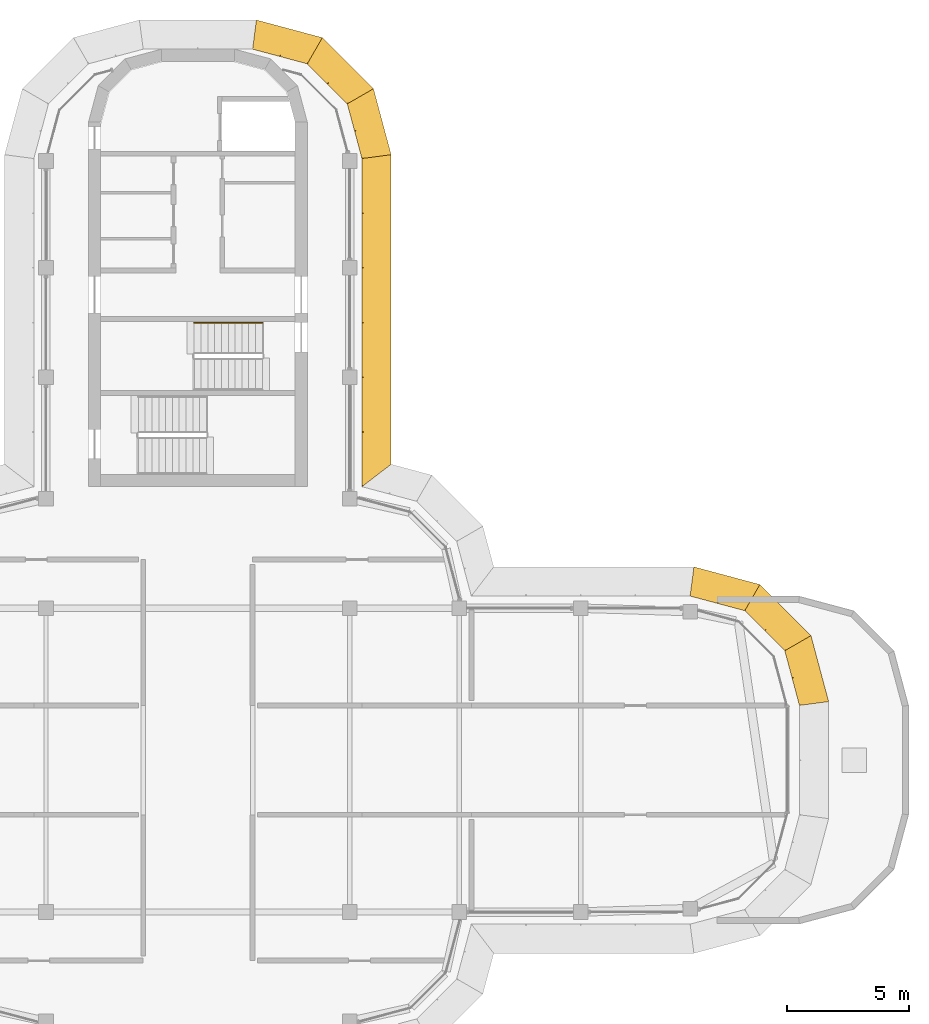
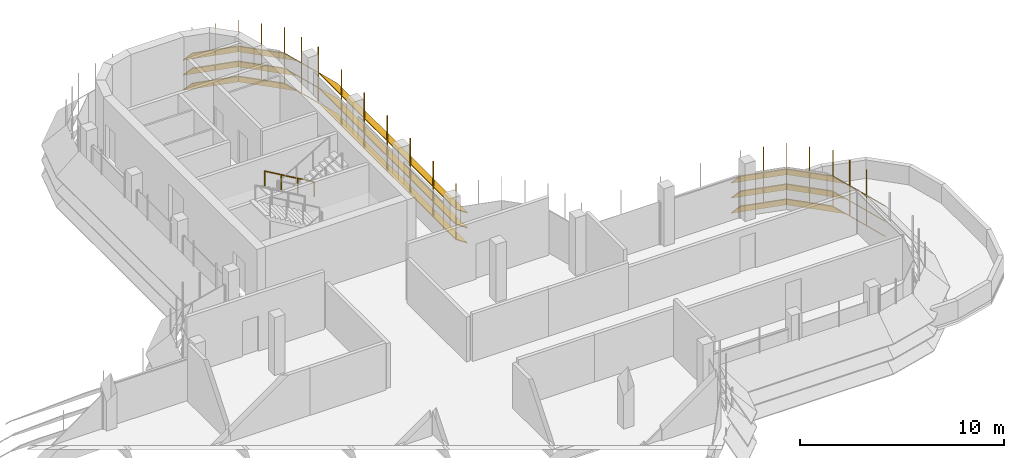
# One storey, part 20 of 20: 3 shading devices, 1 railing.
"""IFC4 building model written with IfcOpenShell, lengths in metres."""

from ifc_helpers import new_model, si_unit, direction, frame, origin, origin_2d, place, context, subcontext, project, spatial, polyline, circle, outline, extrude, faceted_brep, source, transform, mapped, material, type_object, element, save


model = new_model("IFC4")

# Units and contexts
model_context = context("Model", 3, precision=1e-05, world=origin(), true_north=direction((0.0, 1.0)))
body_context = subcontext(model_context, "Body", "Model", "MODEL_VIEW")
ifc_project = project(units=[si_unit("LENGTHUNIT", "METRE"), si_unit("AREAUNIT", "SQUARE_METRE"), si_unit("VOLUMEUNIT", "CUBIC_METRE"), si_unit("PLANEANGLEUNIT", "RADIAN"), si_unit("MASSUNIT", "GRAM", prefix="KILO")], contexts=[model_context])

# Site, building, storey
site_placement = place(None, origin())
site = spatial("IfcSite", under=ifc_project, at=site_placement, CompositionType="ELEMENT")
building_placement = place(site_placement, origin())
building = spatial("IfcBuilding", under=site, at=building_placement, Name="Zarbagh Exchange Tower", CompositionType="ELEMENT")
storey_placement = place(building_placement, frame((0.0, 0.0, 291.60009765625)))
storey = spatial("IfcBuildingStorey", under=building, at=storey_placement, Name="L71", CompositionType="ELEMENT", Elevation=291.60009765625)

# Railing
ifc_material_1 = material(Name="Stainless steel", Category="steel")
railing_type = type_object("IfcRailingType", Name="Stair handrail 900 mm", PredefinedType="HANDRAIL", material=ifc_material_1)
railing_placement = place(storey_placement, frame((2.64990234375, 18.0, 0.16357421875)))
element("IfcRailing", 1, at=railing_placement, inside=storey, type_object=railing_type, Name="ST1 stair handrail 1", PredefinedType="HANDRAIL", context=body_context, shape_type="SweptSolid", body=[
    extrude(circle(Radius=0.02392578125, at=origin_2d()), frame((0.0, 0.0, 0.8759765625), z_axis=(-0.863374499697, 0.0, 0.504563646405), x_axis=(0.0, -1.0, 0.0)), (0.0, 0.0, 1.0), 3.242919921875),
    extrude(circle(Radius=0.02099609375, at=origin_2d()), origin(), (0.0, 0.0, 1.0), 0.851806640625),
    extrude(circle(Radius=0.02099609375, at=origin_2d()), frame((-0.933349609375, 0.0, 0.54541015625)), (0.0, 0.0, 1.0), 0.851806640625),
    extrude(circle(Radius=0.02099609375, at=origin_2d()), frame((-1.866455078125, 0.0, 1.0908203125)), (0.0, 0.0, 1.0), 0.851806640625),
    extrude(circle(Radius=0.02099609375, at=origin_2d()), frame((-2.7998046875, 0.0, 1.63623046875)), (0.0, 0.0, 1.0), 0.851806640625),
])

# Shading devices
ifc_material_2 = material(Name="Anodised aluminium blades and brackets", Category="aluminium")
shading_device_type = type_object("IfcShadingDeviceType", Name="SUNSHADE louvre band, 45 degree blades", PredefinedType="JALOUSIE", material=ifc_material_2)
shared_shape_1 = source(origin(), body_context, "Body", "Brep", [
    faceted_brep([(0.0, 0.0, 0.0), (0.0, 0.0, -0.056640625), (-0.157958984375, -1.199951171875, -1.256591796875), (-0.157958984375, -1.199951171875, -1.199951171875), (2.65087890625, -1.199951171875, -1.199951171875), (2.65087890625, -1.199951171875, -1.256591796875), (2.329345703125, 0.0, -0.056640625), (2.329345703125, 0.0, 0.0)], [[[0, 1, 2, 3]], [[4, 5, 6, 7]], [[0, 7, 6, 1]], [[1, 6, 5, 2]], [[2, 5, 4, 3]], [[3, 4, 7, 0]]]),
])
shared_shape_2 = source(origin(), body_context, "Body", "Brep", [
    faceted_brep([(0.0, 0.0, 0.0), (0.0, 0.0, -0.056640625), (-0.321533203125, -1.199951171875, -1.256591796875), (-0.321533203125, -1.199951171875, -1.199951171875), (2.65087890625, -1.199951171875, -1.199951171875), (2.65087890625, -1.199951171875, -1.256591796875), (2.329345703125, 0.0, -0.056640625), (2.329345703125, 0.0, 0.0)], [[[0, 1, 2, 3]], [[4, 5, 6, 7]], [[0, 7, 6, 1]], [[1, 6, 5, 2]], [[2, 5, 4, 3]], [[3, 4, 7, 0]]]),
])
shared_shape_3 = source(origin(), body_context, "Body", "Brep", [
    faceted_brep([(0.0, 0.0, 0.0), (0.0, 0.0, -0.056640625), (-0.321533203125, -1.199951171875, -1.256591796875), (-0.321533203125, -1.199951171875, -1.199951171875), (2.4873046875, -1.199951171875, -1.199951171875), (2.4873046875, -1.199951171875, -1.256591796875), (2.329345703125, 0.0, -0.056640625), (2.329345703125, 0.0, 0.0)], [[[0, 1, 2, 3]], [[4, 5, 6, 7]], [[0, 7, 6, 1]], [[1, 6, 5, 2]], [[2, 5, 4, 3]], [[3, 4, 7, 0]]]),
])
shared_shape_4 = source(origin(), body_context, "Body", "SweptSolid", [
    extrude(outline(polyline([(0.0, -0.012451171875), (0.06005859375, -0.012451171875), (0.06005859375, 0.012451171875), (0.0, 0.012451171875), (0.0, -0.012451171875)])), origin(), (0.0, 0.0, 1.0), 3.366455078125),
])
placement = place(storey_placement, origin())
element("IfcShadingDevice", 2, at=placement, inside=storey, type_object=shading_device_type, Name="SS60 sunshade band", PredefinedType="JALOUSIE", context=body_context, shape_type="MappedRepresentation", body=[
    mapped(shared_shape_1, transform((24.75, 2.25, 2.099853515625), x_axis=(-0.258824779902, 0.965924289636, 0.0), y_axis=(-0.965924289636, -0.258824779902, 0.0), z_axis=(0.0, 0.0, 1.0))),
    mapped(shared_shape_1, transform((24.75, 2.25, 1.199951171875), x_axis=(-0.258824779902, 0.965924289636, 0.0), y_axis=(-0.965924289636, -0.258824779902, 0.0), z_axis=(0.0, 0.0, 1.0))),
    mapped(shared_shape_1, transform((24.75, 2.25, 0.2998046875), x_axis=(-0.258824779902, 0.965924289636, 0.0), y_axis=(-0.965924289636, -0.258824779902, 0.0), z_axis=(0.0, 0.0, 1.0))),
    mapped(shared_shape_2, transform((24.147216796875, 4.5, 2.099853515625), x_axis=(-0.707106781187, 0.707106781187, 0.0), y_axis=(-0.707106781187, -0.707106781187, 0.0), z_axis=(0.0, 0.0, 1.0))),
    mapped(shared_shape_2, transform((24.147216796875, 4.5, 1.199951171875), x_axis=(-0.707106781187, 0.707106781187, 0.0), y_axis=(-0.707106781187, -0.707106781187, 0.0), z_axis=(0.0, 0.0, 1.0))),
    mapped(shared_shape_2, transform((24.147216796875, 4.5, 0.2998046875), x_axis=(-0.707106781187, 0.707106781187, 0.0), y_axis=(-0.707106781187, -0.707106781187, 0.0), z_axis=(0.0, 0.0, 1.0))),
    mapped(shared_shape_3, transform((22.5, 6.147216796875, 2.099853515625), x_axis=(-0.965924289636, 0.258824779902, 0.0), y_axis=(-0.258824779902, -0.965924289636, 0.0), z_axis=(0.0, 0.0, 1.0))),
    mapped(shared_shape_3, transform((22.5, 6.147216796875, 1.199951171875), x_axis=(-0.965924289636, 0.258824779902, 0.0), y_axis=(-0.258824779902, -0.965924289636, 0.0), z_axis=(0.0, 0.0, 1.0))),
    mapped(shared_shape_3, transform((22.5, 6.147216796875, 0.2998046875), x_axis=(-0.965924289636, 0.258824779902, 0.0), y_axis=(-0.258824779902, -0.965924289636, 0.0), z_axis=(0.0, 0.0, 1.0))),
    mapped(shared_shape_4, transform((24.75, 2.25, 0.21337890625), x_axis=(0.991444457092, 0.130529263012, 0.0), y_axis=(-0.130529263012, 0.991444457092, 0.0), z_axis=(0.0, 0.0, 1.0))),
    mapped(shared_shape_4, transform((24.448486328125, 3.375, 0.21337890625), x_axis=(0.96592421511, 0.258825058029, 0.0), y_axis=(-0.258825058029, 0.96592421511, 0.0), z_axis=(0.0, 0.0, 1.0))),
    mapped(shared_shape_4, transform((24.147216796875, 4.5, 0.21337890625), x_axis=(0.866023812018, 0.50000275701, 0.0), y_axis=(-0.50000275701, 0.866023812018, 0.0), z_axis=(0.0, 0.0, 1.0))),
    mapped(shared_shape_4, transform((23.323486328125, 5.323486328125, 0.21337890625), x_axis=(0.707106781187, 0.707106781187, 0.0), y_axis=(-0.707106781187, 0.707106781187, 0.0), z_axis=(0.0, 0.0, 1.0))),
    mapped(shared_shape_4, transform((22.5, 6.147216796875, 0.21337890625), x_axis=(0.50000275701, 0.866023812018, 0.0), y_axis=(-0.866023812018, 0.50000275701, 0.0), z_axis=(0.0, 0.0, 1.0))),
    mapped(shared_shape_4, transform((21.375, 6.448486328125, 0.21337890625), x_axis=(0.258825058029, 0.96592421511, 0.0), y_axis=(-0.96592421511, 0.258825058029, 0.0), z_axis=(0.0, 0.0, 1.0))),
])
element("IfcShadingDevice", 3, at=placement, inside=storey, type_object=shading_device_type, Name="SS46 sunshade band", PredefinedType="JALOUSIE", context=body_context, shape_type="MappedRepresentation", body=[
    mapped(shared_shape_1, transform((6.75, 24.75, 2.099853515625), x_axis=(-0.258824779902, 0.965924289636, 0.0), y_axis=(-0.965924289636, -0.258824779902, 0.0), z_axis=(0.0, 0.0, 1.0))),
    mapped(shared_shape_1, transform((6.75, 24.75, 1.199951171875), x_axis=(-0.258824779902, 0.965924289636, 0.0), y_axis=(-0.965924289636, -0.258824779902, 0.0), z_axis=(0.0, 0.0, 1.0))),
    mapped(shared_shape_1, transform((6.75, 24.75, 0.2998046875), x_axis=(-0.258824779902, 0.965924289636, 0.0), y_axis=(-0.965924289636, -0.258824779902, 0.0), z_axis=(0.0, 0.0, 1.0))),
    mapped(shared_shape_2, transform((6.147216796875, 27.0, 2.099853515625), x_axis=(-0.707106781187, 0.707106781187, 0.0), y_axis=(-0.707106781187, -0.707106781187, 0.0), z_axis=(0.0, 0.0, 1.0))),
    mapped(shared_shape_2, transform((6.147216796875, 27.0, 1.199951171875), x_axis=(-0.707106781187, 0.707106781187, 0.0), y_axis=(-0.707106781187, -0.707106781187, 0.0), z_axis=(0.0, 0.0, 1.0))),
    mapped(shared_shape_2, transform((6.147216796875, 27.0, 0.2998046875), x_axis=(-0.707106781187, 0.707106781187, 0.0), y_axis=(-0.707106781187, -0.707106781187, 0.0), z_axis=(0.0, 0.0, 1.0))),
    mapped(shared_shape_3, transform((4.5, 28.647216796875, 2.099853515625), x_axis=(-0.965924289636, 0.258824779902, 0.0), y_axis=(-0.258824779902, -0.965924289636, 0.0), z_axis=(0.0, 0.0, 1.0))),
    mapped(shared_shape_3, transform((4.5, 28.647216796875, 1.199951171875), x_axis=(-0.965924289636, 0.258824779902, 0.0), y_axis=(-0.258824779902, -0.965924289636, 0.0), z_axis=(0.0, 0.0, 1.0))),
    mapped(shared_shape_3, transform((4.5, 28.647216796875, 0.2998046875), x_axis=(-0.965924289636, 0.258824779902, 0.0), y_axis=(-0.258824779902, -0.965924289636, 0.0), z_axis=(0.0, 0.0, 1.0))),
    mapped(shared_shape_4, transform((6.75, 24.75, 0.21337890625), x_axis=(0.991444457092, 0.130529263012, 0.0), y_axis=(-0.130529263012, 0.991444457092, 0.0), z_axis=(0.0, 0.0, 1.0))),
    mapped(shared_shape_4, transform((6.448486328125, 25.875, 0.21337890625), x_axis=(0.96592421511, 0.258825058029, 0.0), y_axis=(-0.258825058029, 0.96592421511, 0.0), z_axis=(0.0, 0.0, 1.0))),
    mapped(shared_shape_4, transform((6.147216796875, 27.0, 0.21337890625), x_axis=(0.866023812018, 0.50000275701, 0.0), y_axis=(-0.50000275701, 0.866023812018, 0.0), z_axis=(0.0, 0.0, 1.0))),
    mapped(shared_shape_4, transform((5.323486328125, 27.823486328125, 0.21337890625), x_axis=(0.707106781187, 0.707106781187, 0.0), y_axis=(-0.707106781187, 0.707106781187, 0.0), z_axis=(0.0, 0.0, 1.0))),
    mapped(shared_shape_4, transform((4.5, 28.647216796875, 0.21337890625), x_axis=(0.50000275701, 0.866023812018, 0.0), y_axis=(-0.866023812018, 0.50000275701, 0.0), z_axis=(0.0, 0.0, 1.0))),
    mapped(shared_shape_4, transform((3.375, 28.948486328125, 0.21337890625), x_axis=(0.258825058029, 0.96592421511, 0.0), y_axis=(-0.96592421511, 0.258825058029, 0.0), z_axis=(0.0, 0.0, 1.0))),
])
shared_shape_5 = source(origin(), body_context, "Body", "Brep", [
    faceted_brep([(0.0, 0.0, 0.0), (0.0, 0.0, -0.056640625), (0.9208984375, -1.199951171875, -1.256591796875), (0.9208984375, -1.199951171875, -1.199951171875), (13.657958984375, -1.199951171875, -1.199951171875), (13.657958984375, -1.199951171875, -1.256591796875), (13.5, 0.0, -0.056640625), (13.5, 0.0, 0.0)], [[[0, 1, 2, 3]], [[4, 5, 6, 7]], [[0, 7, 6, 1]], [[1, 6, 5, 2]], [[2, 5, 4, 3]], [[3, 4, 7, 0]]]),
])
element("IfcShadingDevice", 4, at=placement, inside=storey, type_object=shading_device_type, Name="SS45 sunshade band", PredefinedType="JALOUSIE", context=body_context, shape_type="MappedRepresentation", body=[
    mapped(shared_shape_5, transform((6.75, 11.25, 2.099853515625), x_axis=(0.0, 1.0, 0.0), y_axis=(-1.0, 0.0, 0.0), z_axis=(0.0, 0.0, 1.0))),
    mapped(shared_shape_5, transform((6.75, 11.25, 1.199951171875), x_axis=(0.0, 1.0, 0.0), y_axis=(-1.0, 0.0, 0.0), z_axis=(0.0, 0.0, 1.0))),
    mapped(shared_shape_5, transform((6.75, 11.25, 0.2998046875), x_axis=(0.0, 1.0, 0.0), y_axis=(-1.0, 0.0, 0.0), z_axis=(0.0, 0.0, 1.0))),
    mapped(shared_shape_4, transform((6.75, 11.25, 0.21337890625), x_axis=(0.793355287, 0.608758892, 0.0), y_axis=(-0.608758892, 0.793355287, 0.0), z_axis=(0.0, 0.0, 1.0))),
    mapped(shared_shape_4, transform((6.75, 13.5, 0.21337890625), x_axis=(1.0, 0.0, 0.0), y_axis=(0.0, 1.0, 0.0), z_axis=(0.0, 0.0, 1.0))),
    mapped(shared_shape_4, transform((6.75, 15.75, 0.21337890625), x_axis=(1.0, 0.0, 0.0), y_axis=(0.0, 1.0, 0.0), z_axis=(0.0, 0.0, 1.0))),
    mapped(shared_shape_4, transform((6.75, 18.0, 0.21337890625), x_axis=(1.0, 0.0, 0.0), y_axis=(0.0, 1.0, 0.0), z_axis=(0.0, 0.0, 1.0))),
    mapped(shared_shape_4, transform((6.75, 20.25, 0.21337890625), x_axis=(1.0, 0.0, 0.0), y_axis=(0.0, 1.0, 0.0), z_axis=(0.0, 0.0, 1.0))),
    mapped(shared_shape_4, transform((6.75, 22.5, 0.21337890625), x_axis=(1.0, 0.0, 0.0), y_axis=(0.0, 1.0, 0.0), z_axis=(0.0, 0.0, 1.0))),
])

save(model, "model.ifc")
